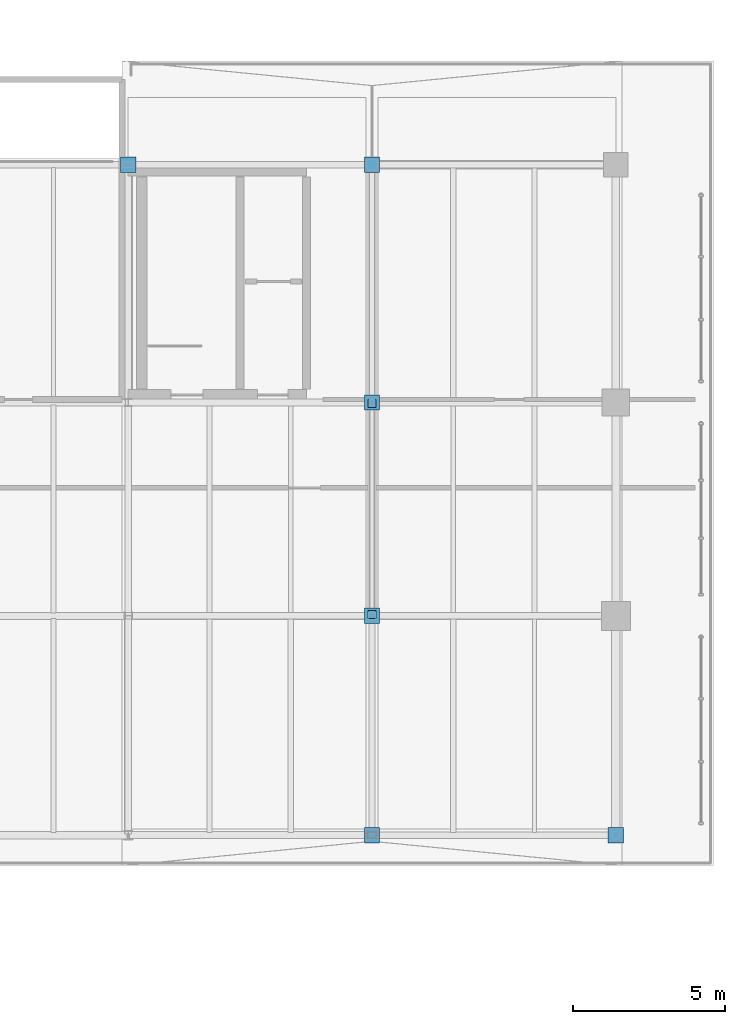
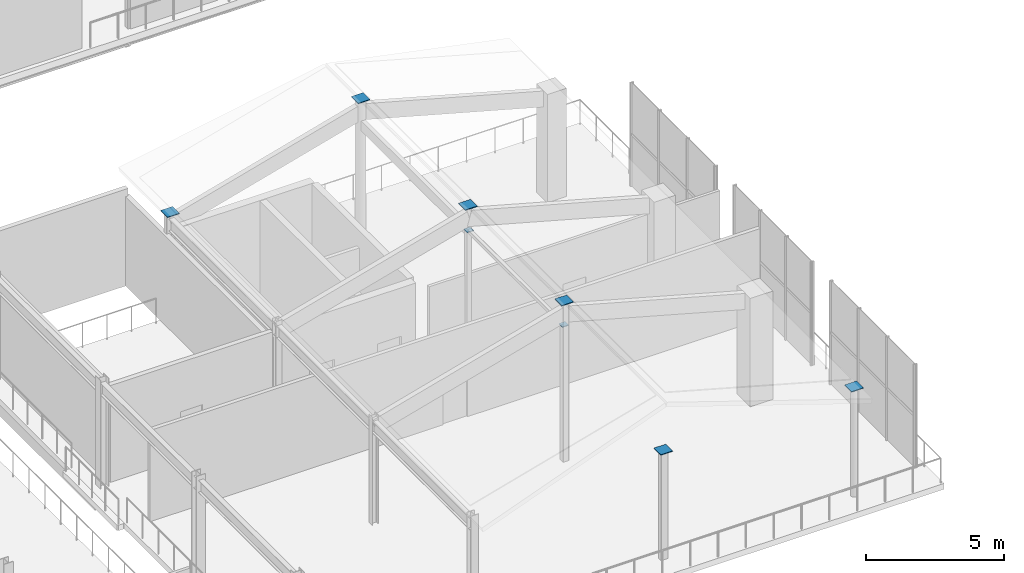
# One storey, part 57 of 70: 8 discrete accessories.
"""IFC4 building model written with IfcOpenShell, lengths in metres."""

from ifc_helpers import new_model, si_unit, direction, frame, origin, origin_2d, place, context, subcontext, project, spatial, rectangle, extrude, material, type_object, element, save


model = new_model("IFC4")

# Units and contexts
model_context = context("Model", 3, precision=1e-05, world=origin(), true_north=direction((0.0, 1.0)))
body_context = subcontext(model_context, "Body", "Model", "MODEL_VIEW")
ifc_project = project(units=[si_unit("LENGTHUNIT", "METRE"), si_unit("AREAUNIT", "SQUARE_METRE"), si_unit("VOLUMEUNIT", "CUBIC_METRE"), si_unit("PLANEANGLEUNIT", "RADIAN"), si_unit("MASSUNIT", "GRAM", prefix="KILO")], contexts=[model_context])

# Site, building, storey
site_placement = place(None, origin())
site = spatial("IfcSite", under=ifc_project, at=site_placement, CompositionType="ELEMENT")
building_placement = place(site_placement, origin())
building = spatial("IfcBuilding", under=site, at=building_placement, Name="Brisemont Oceanarium", CompositionType="ELEMENT")
storey_placement = place(building_placement, frame((0.0, 0.0, 10.199951171875)))
storey = spatial("IfcBuildingStorey", under=building, at=storey_placement, Name="L02", CompositionType="ELEMENT", Elevation=10.199951171875)

# Discrete accessories
ifc_material = material(Name="Structural Steel ASTM A572 Gr.50", Category="steel")
discrete_accessory_type = type_object("IfcDiscreteAccessoryType", Name="ACC-CAP-STL", PredefinedType="ANCHORPLATE", material=ifc_material)
for number, where, z_axis, x_axis, name in (
    (1, (120.0, 63.800048828125, 4.7900390625), (0.0, 0.0, 1.0), (1.0, 0.0, 0.0), "V5E L02 hollow column welded end cap (1,4)"),
    (2, (128.0, 41.800048828125, 4.7900390625), (0.0, 0.0, 1.0), (1.0, 0.0, 0.0), "V5E L02 hollow column welded end cap (2,1)"),
    (3, (128.0, 49.0, 7.0400390625), (0.0, 0.0, 1.0), (1.0, 0.0, 0.0), "V5E L02 hollow column welded end cap (2,2)"),
    (4, (128.0, 56.0, 7.0400390625), (0.0, 0.0, 1.0), (1.0, 0.0, 0.0), "V5E L02 hollow column welded end cap (2,3)"),
    (5, (128.0, 63.800048828125, 7.0400390625), (0.0, 0.0, 1.0), (1.0, 0.0, 0.0), "V5E L02 hollow column welded end cap (2,4)"),
    (6, (136.0, 41.800048828125, 4.7900390625), (0.0, 0.0, 1.0), (1.0, 0.0, 0.0), "V5E L02 hollow column welded end cap (3,1)"),
):
    element("IfcDiscreteAccessory", number, at=place(storey_placement, frame(where, z_axis=z_axis, x_axis=x_axis)), inside=storey, type_object=discrete_accessory_type, Name=name, PredefinedType="ANCHORPLATE", context=body_context, shape_type="SweptSolid", body=[
        extrude(rectangle(XDim=0.5, YDim=0.5, at=origin_2d()), origin(), (0.0, 0.0, 1.0), 0.030029296875),
    ])
for number, where, z_axis, x_axis, name in (
    (7, (128.0, 49.0400390625, 5.955078125), (0.0, 0.0, 1.0), (1.0, 0.0, 0.0), "V5E purlin 1 welded end cap 1"),
    (8, (128.0, 55.9599609375, 5.955078125), (0.0, 0.0, 1.0), (1.0, 0.0, 0.0), "V5E purlin 1 welded end cap 2"),
):
    element("IfcDiscreteAccessory", number, at=place(storey_placement, frame(where, z_axis=z_axis, x_axis=x_axis)), inside=storey, type_object=discrete_accessory_type, Name=name, PredefinedType="ANCHORPLATE", context=body_context, shape_type="SweptSolid", body=[
        extrude(rectangle(XDim=0.260009765625, YDim=0.260009765625, at=origin_2d()), origin(), (0.0, 0.0, 1.0), 0.030029296875),
    ])

save(model, "model.ifc")
